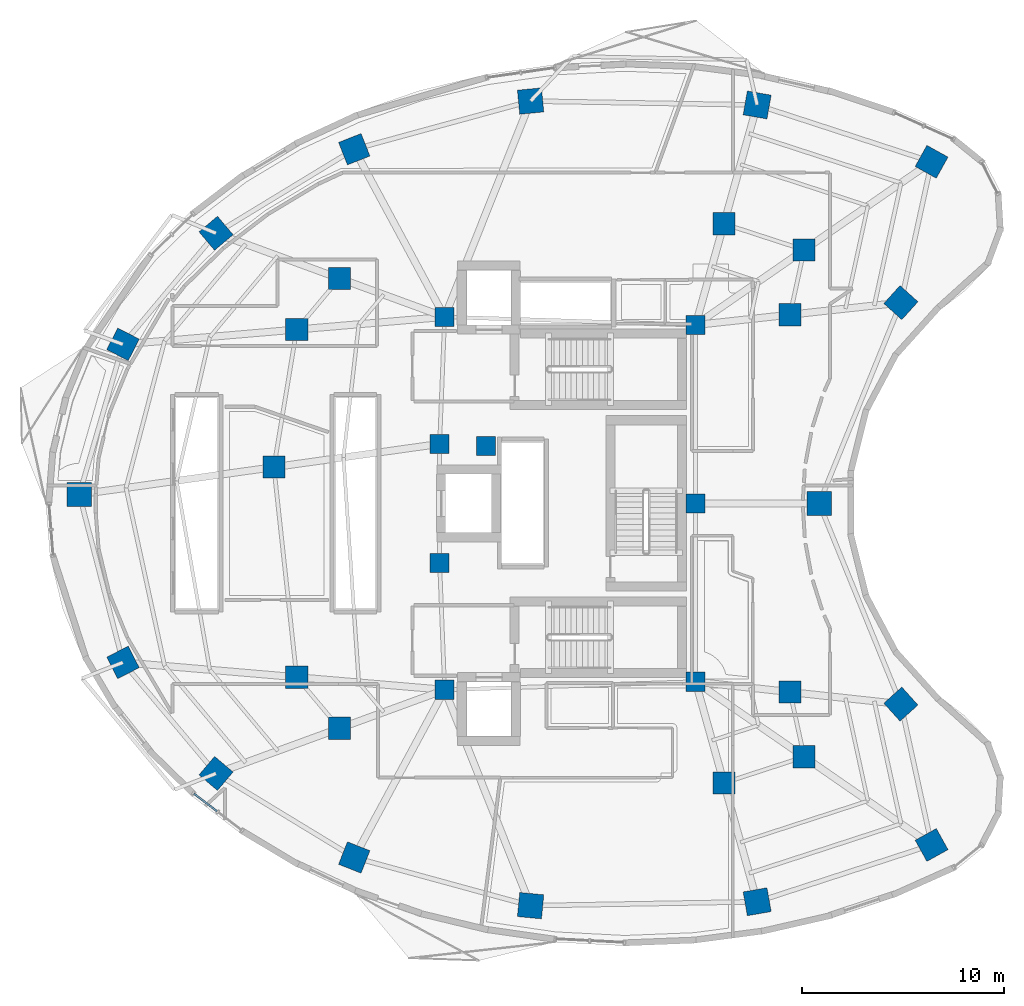
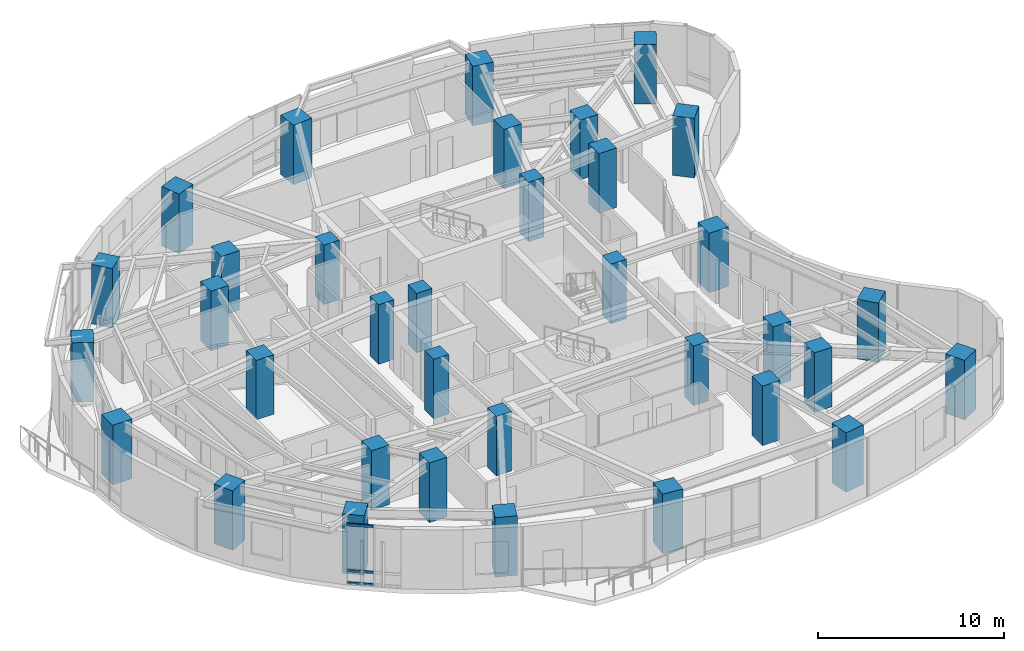
# One storey, part 1 of 15: 35 columns, 3 members, 1 element without a shape of its own.
"""IFC4 building model written with IfcOpenShell, lengths in metres."""

from ifc_helpers import new_model, si_unit, direction, frame, origin, origin_2d, place, context, subcontext, project, spatial, rectangle, extrude, material, layer, layer_set, material_profile, profile_set, type_object, element, aggregate, save


model = new_model("IFC4")

# Units and contexts
model_context = context("Model", 3, precision=1e-05, world=origin(), true_north=direction((0.0, 1.0)))
body_context = subcontext(model_context, "Body", "Model", "MODEL_VIEW")
ifc_project = project(units=[si_unit("LENGTHUNIT", "METRE"), si_unit("AREAUNIT", "SQUARE_METRE"), si_unit("VOLUMEUNIT", "CUBIC_METRE"), si_unit("PLANEANGLEUNIT", "RADIAN"), si_unit("MASSUNIT", "GRAM", prefix="KILO")], contexts=[model_context])

# Site, building, storey
site_placement = place(None, origin())
site = spatial("IfcSite", under=ifc_project, at=site_placement, CompositionType="ELEMENT")
building_placement = place(site_placement, origin())
building = spatial("IfcBuilding", under=site, at=building_placement, Name="Korentha Bioscience Tower", CompositionType="ELEMENT")
storey_placement = place(building_placement, frame((0.0, 0.0, 127.800048828125)))
storey = spatial("IfcBuildingStorey", under=building, at=storey_placement, Name="L29", CompositionType="ELEMENT", Elevation=127.800048828125)

# Columns
ifc_material_1 = material(Name="Concrete C65", Category="concrete")
ifc_material_profile_1 = material_profile(ifc_material_1, rectangle(XDim=0.949951171875, YDim=0.949951171875, at=origin_2d()), Name="Concrete C65")
ifc_profile_set_1 = profile_set([ifc_material_profile_1], Name="Concrete C65 (COL-CP09)")
column_type_1 = type_object("IfcColumnType", Name="Core Pilaster Column RC 950x950", PredefinedType="PILASTER", material=ifc_profile_set_1)
for number, where, z_axis, x_axis, name in (
    (1, (37.550048828125, 35.85009765625, -0.00048828125), (0.0, 0.0, 1.0), (1.0, 0.0, 0.0), "L29 Core Pilaster CP-01"),
    (2, (25.10009765625, 36.25, -0.00048828125), (0.0, 0.0, 1.0), (1.0, 0.0, 0.0), "L29 Core Pilaster CP-02"),
    (3, (24.85009765625, 29.949951171875, -0.00048828125), (0.0, 0.0, 1.0), (1.0, 0.0, 0.0), "L29 Core Pilaster CP-03"),
    (4, (27.14990234375, 29.85009765625, -0.00048828125), (0.0, 0.0, 1.0), (1.0, 0.0, 0.0), "L29 Core Pilaster CP-04"),
    (5, (24.85009765625, 24.050048828125, -0.00048828125), (0.0, 0.0, 1.0), (1.0, 0.0, 0.0), "L29 Core Pilaster CP-05"),
    (6, (25.10009765625, 17.75, -0.00048828125), (0.0, 0.0, 1.0), (1.0, 0.0, 0.0), "L29 Core Pilaster CP-06"),
    (7, (37.550048828125, 18.14990234375, -0.00048828125), (0.0, 0.0, 1.0), (1.0, 0.0, 0.0), "L29 Core Pilaster CP-07"),
    (8, (37.550048828125, 27.0, -0.00048828125), (0.0, 0.0, 1.0), (1.0, 0.0, 0.0), "L29 Core Pilaster CP-08"),
):
    element("IfcColumn", number, at=place(storey_placement, frame(where, z_axis=z_axis, x_axis=x_axis)), inside=storey, type_object=column_type_1, Name=name, PredefinedType="PILASTER", context=body_context, shape_type="SweptSolid", body=[
        extrude(rectangle(XDim=0.949951171875, YDim=0.949951171875, at=origin_2d()), origin(), (0.0, 0.0, 1.0), 3.90087890625),
    ])
ifc_material_2 = material(Name="Concrete C80", Category="concrete")
ifc_material_profile_2 = material_profile(ifc_material_2, rectangle(XDim=1.10009765625, YDim=1.10009765625, at=origin_2d()), Name="Concrete C80")
ifc_profile_set_2 = profile_set([ifc_material_profile_2], Name="Concrete C80 (COL-MR11)")
column_type_2 = type_object("IfcColumnType", Name="Mid-Ring Lab Column RC 1100x1100", PredefinedType="COLUMN", material=ifc_profile_set_2)
for number, where, z_axis, x_axis, name in (
    (9, (42.93603515625, 39.57470703125, -0.00048828125), (0.0, 0.0, 1.0), (1.0, 0.0, 0.0), "L29 Mid-Ring Column 01"),
    (10, (38.954833984375, 40.870849609375, -0.00048828125), (0.0, 0.0, 1.0), (1.0, 0.0, 0.0), "L29 Mid-Ring Column 02"),
    (11, (19.882568359375, 38.158935546875, -0.00048828125), (0.0, 0.0, 1.0), (1.0, 0.0, 0.0), "L29 Mid-Ring Column 05"),
    (12, (17.75927734375, 35.6240234375, -0.00048828125), (0.0, 0.0, 1.0), (1.0, 0.0, 0.0), "L29 Mid-Ring Column 06"),
    (13, (16.627197265625, 28.796630859375, -0.00048828125), (0.0, 0.0, 1.0), (1.0, 0.0, 0.0), "L29 Mid-Ring Column 07"),
    (14, (17.75927734375, 18.3759765625, -0.00048828125), (0.0, 0.0, 1.0), (1.0, 0.0, 0.0), "L29 Mid-Ring Column 08"),
    (15, (19.882568359375, 15.841064453125, -0.00048828125), (0.0, 0.0, 1.0), (1.0, 0.0, 0.0), "L29 Mid-Ring Column 09"),
    (16, (38.954833984375, 13.129150390625, -0.00048828125), (0.0, 0.0, 1.0), (1.0, 0.0, 0.0), "L29 Mid-Ring Column 12"),
    (17, (42.93603515625, 14.42529296875, -0.00048828125), (0.0, 0.0, 1.0), (1.0, 0.0, 0.0), "L29 Mid-Ring Column 13"),
    (18, (42.235595703125, 17.639404296875, -0.00048828125), (0.0, 0.0, 1.0), (1.0, 0.0, 0.0), "L29 Mid-Ring Column 14"),
    (19, (42.235595703125, 36.360595703125, -0.00048828125), (0.0, 0.0, 1.0), (1.0, 0.0, 0.0), "L29 Mid-Ring Column 16"),
):
    element("IfcColumn", number, at=place(storey_placement, frame(where, z_axis=z_axis, x_axis=x_axis)), inside=storey, type_object=column_type_2, Name=name, PredefinedType="COLUMN", context=body_context, shape_type="SweptSolid", body=[
        extrude(rectangle(XDim=1.10009765625, YDim=1.10009765625, at=origin_2d()), origin(), (0.0, 0.0, 1.0), 3.90087890625),
    ])
ifc_material_profile_3 = material_profile(ifc_material_2, rectangle(XDim=1.199951171875, YDim=1.199951171875, at=origin_2d()), Name="Concrete C80")
ifc_profile_set_3 = profile_set([ifc_material_profile_3], Name="Concrete C80 (COL-P12)")
column_type_3 = type_object("IfcColumnType", Name="Perimeter Column RC 1200x1200", PredefinedType="COLUMN", material=ifc_profile_set_3)
for number, where, z_axis, x_axis, name in (
    (20, (49.2587890625, 43.947021484375, -0.00048828125), (0.0, 0.0, 1.0), (-0.874535078577, 0.484962262797, 0.0), "L29 Perimeter Column 01"),
    (21, (40.604248046875, 46.764892578125, -0.00048828125), (0.0, 0.0, 1.0), (-0.984868307662, 0.173304404339, 0.0), "L29 Perimeter Column 02"),
    (22, (29.3642578125, 46.959228515625, -0.00048828125), (0.0, 0.0, 1.0), (0.995462868748, 0.095150811579, 0.0), "L29 Perimeter Column 03"),
    (23, (20.614990234375, 44.5693359375, -0.00048828125), (0.0, 0.0, 1.0), (0.930225540858, 0.366988341962, 0.0), "L29 Perimeter Column 04"),
    (24, (13.7578125, 40.400146484375, -0.00048828125), (0.0, 0.0, 1.0), (0.764246456939, 0.644924300253, 0.0), "L29 Perimeter Column 05"),
    (25, (9.141845703125, 34.889404296875, -0.00048828125), (0.0, 0.0, 1.0), (0.453057191132, 0.891481453292, 0.0), "L29 Perimeter Column 06"),
    (26, (6.97412109375, 27.4423828125, -0.00048828125), (0.0, 0.0, 1.0), (0.0, 1.0, 0.0), "L29 Perimeter Column 07"),
    (27, (9.141845703125, 19.110595703125, -0.00048828125), (0.0, 0.0, 1.0), (-0.453057191132, 0.891481453292, 0.0), "L29 Perimeter Column 08"),
    (28, (13.7578125, 13.599853515625, -0.00048828125), (0.0, 0.0, 1.0), (-0.764246456939, 0.644924300253, 0.0), "L29 Perimeter Column 09"),
    (29, (20.614990234375, 9.4306640625, -0.00048828125), (0.0, 0.0, 1.0), (-0.930225540858, 0.366988341962, 0.0), "L29 Perimeter Column 10"),
    (30, (29.3642578125, 7.040771484375, -0.00048828125), (0.0, 0.0, 1.0), (-0.995462868748, 0.095150811579, 0.0), "L29 Perimeter Column 11"),
    (31, (40.604248046875, 7.235107421875, -0.00048828125), (0.0, 0.0, 1.0), (0.984868307662, 0.173304404339, 0.0), "L29 Perimeter Column 12"),
    (32, (49.2587890625, 10.052978515625, -0.00048828125), (0.0, 0.0, 1.0), (0.874535078577, 0.484962262797, 0.0), "L29 Perimeter Column 13"),
    (33, (47.736083984375, 17.040283203125, -0.00048828125), (0.0, 0.0, 1.0), (-0.669130606359, 0.743144825477, 0.0), "L29 Perimeter Column 14"),
    (34, (43.680908203125, 27.0, -0.00048828125), (0.0, 0.0, 1.0), (0.0, 1.0, 0.0), "L29 Perimeter Column 15"),
    (35, (47.736083984375, 36.959716796875, -0.00048828125), (0.0, 0.0, 1.0), (0.669130606359, 0.743144825477, 0.0), "L29 Perimeter Column 16"),
):
    element("IfcColumn", number, at=place(storey_placement, frame(where, z_axis=z_axis, x_axis=x_axis)), inside=storey, type_object=column_type_3, Name=name, PredefinedType="COLUMN", context=body_context, shape_type="SweptSolid", body=[
        extrude(rectangle(XDim=1.199951171875, YDim=1.199951171875, at=origin_2d()), origin(), (0.0, 0.0, 1.0), 3.90087890625),
    ])

# Curtain wall, members
ifc_material_3 = material(Name="Thermally Broken Aluminium Frame", Category="aluminium")
ifc_layer = layer(ifc_material_3, 0.219970703125, Name="Thermally Broken Aluminium Frame")
ifc_layer_set = layer_set([ifc_layer], Name="Thermally Broken Aluminium Frame (CW-T1)")
curtain_wall_type = type_object("IfcCurtainWallType", Name="Standard Bioscience Lab Unitised Curtain Wall CW-T1", PredefinedType="USERDEFINED", material=ifc_layer_set)
curtain_wall_placement = place(storey_placement, origin())
curtain_wall = element("IfcCurtainWall", 36, at=curtain_wall_placement, inside=storey, type_object=curtain_wall_type, Name="L29 Curtain Wall 25", ObjectType="UNITISED", PredefinedType="USERDEFINED")
ifc_material_4 = material(Name="Anodised Aluminium 6063-T6", Category="aluminium")
ifc_material_profile_4 = material_profile(ifc_material_4, rectangle(XDim=0.090087890625, YDim=0.159912109375, at=origin_2d()), Name="Anodised Aluminium 6063-T6")
ifc_profile_set_4 = profile_set([ifc_material_profile_4], Name="Anodised Aluminium 6063-T6 (CW-TRN)")
member_type = type_object("IfcMemberType", Name="Transom RECT 90x160", PredefinedType="USERDEFINED", material=ifc_profile_set_4)
member_1_placement = place(storey_placement, frame((12.659912109375, 12.601318359375, 0.044921875), z_axis=(0.794559026989, -0.607186917374, 0.0), x_axis=(0.607186917374, 0.794559026989, 0.0)))
member_1 = element("IfcMember", 37, at=member_1_placement, type_object=member_type, Name="CW-L29-25 Bay 1 Transom 1", ObjectType="TRANSOM", PredefinedType="USERDEFINED", context=body_context, shape_type="SweptSolid", body=[
    extrude(rectangle(XDim=0.090087890625, YDim=0.159912109375, at=origin_2d()), origin(), (0.0, 0.0, 1.0), 1.4462890625),
])
member_2_placement = place(storey_placement, frame((12.659912109375, 12.601318359375, 0.849853515625), z_axis=(0.794559026989, -0.607186917374, 0.0), x_axis=(0.607186917374, 0.794559026989, 0.0)))
member_2 = element("IfcMember", 38, at=member_2_placement, type_object=member_type, Name="CW-L29-25 Bay 1 Transom 2", ObjectType="TRANSOM", PredefinedType="USERDEFINED", context=body_context, shape_type="SweptSolid", body=[
    extrude(rectangle(XDim=0.090087890625, YDim=0.159912109375, at=origin_2d()), origin(), (0.0, 0.0, 1.0), 1.4462890625),
])
member_3_placement = place(storey_placement, frame((12.659912109375, 12.601318359375, 3.85498046875), z_axis=(0.794559026989, -0.607186917374, 0.0), x_axis=(0.607186917374, 0.794559026989, 0.0)))
member_3 = element("IfcMember", 39, at=member_3_placement, type_object=member_type, Name="CW-L29-25 Bay 1 Transom 3", ObjectType="TRANSOM", PredefinedType="USERDEFINED", context=body_context, shape_type="SweptSolid", body=[
    extrude(rectangle(XDim=0.090087890625, YDim=0.159912109375, at=origin_2d()), origin(), (0.0, 0.0, 1.0), 1.4462890625),
])
aggregate(curtain_wall, [member_1, member_2, member_3])

save(model, "model.ifc")
